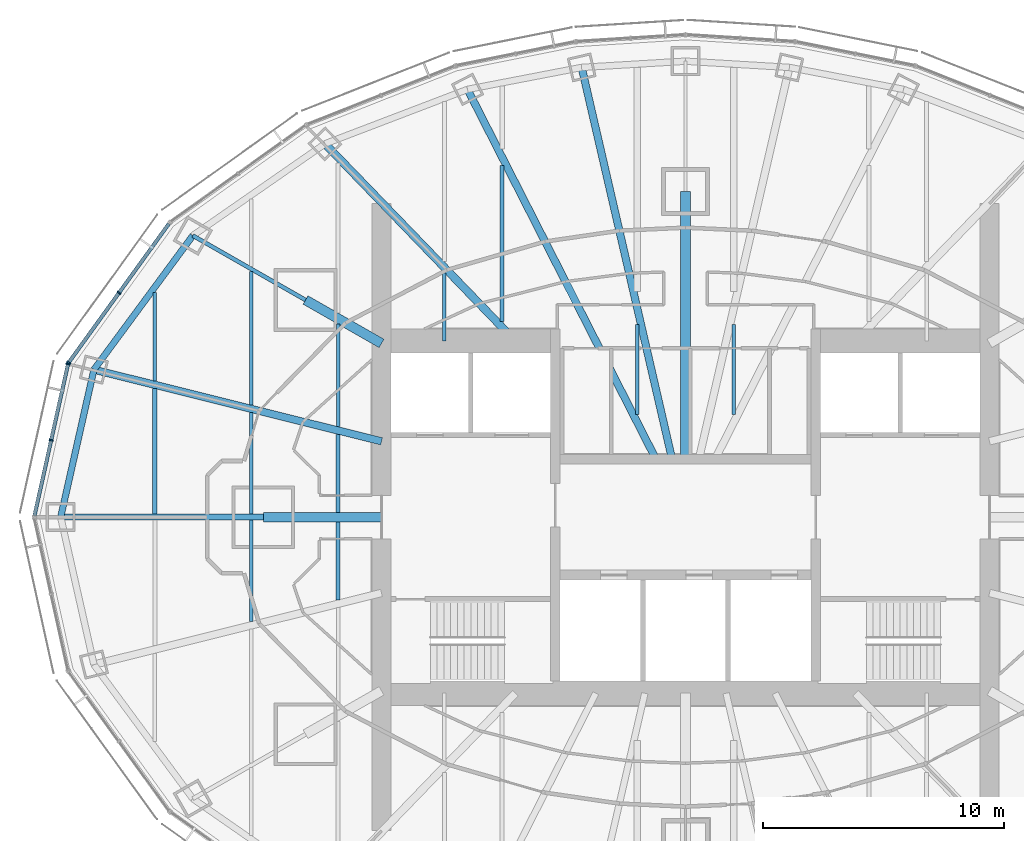
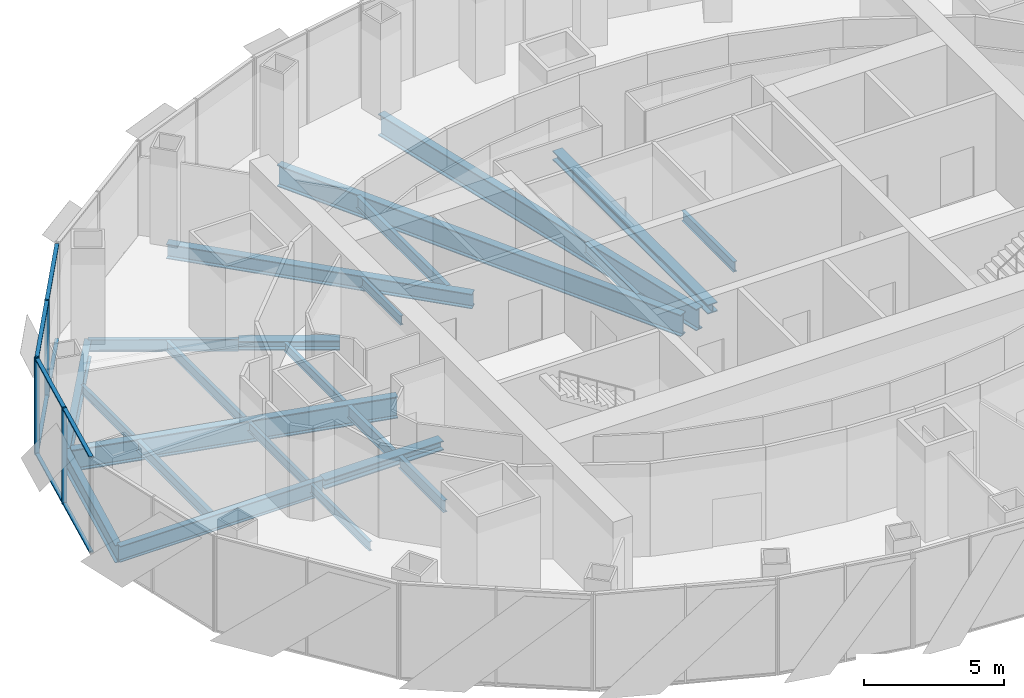
# One storey, part 4 of 17: 23 beams, 12 members, 2 elements without a shape of their own.
"""IFC4 building model written with IfcOpenShell, lengths in metres."""

import ifcopenshell
import ifcopenshell.guid

model = None  # the IFC model being written
_history = None  # IfcOwnerHistory: only IFC2X3 demands one
_inside = {}  # id of a spatial element -> (the spatial element, [elements in it])
_under = {}  # id of a project, library or spatial element -> (it, [spatial elements below it])
_declared = {}  # id of a project -> (the project, [libraries it declares])
_typed = {}  # id of a type object -> (the type object, [elements of that type])
_made_of = {}  # id of a material, layer set ... -> (it, [elements and type objects made of it])


def new_model(schema):
    """Start an empty IFC model of exactly this schema.

    Asked for "IFC4X3", IfcOpenShell would pick the latest addendum, in which some entities
    have other attributes; the version numbers below select the first issue.
    IFC2X3 requires an IfcOwnerHistory on every rooted entity: one is made here for all.
    """
    global model, _history
    if schema == "IFC4X3":
        model = ifcopenshell.file(schema_version=(4, 3, 0, 0))
    else:
        model = ifcopenshell.file(schema=schema)
    _inside.clear()
    _under.clear()
    _declared.clear()
    _typed.clear()
    _made_of.clear()
    _history = None
    if model.schema == "IFC2X3":
        org = make("IfcOrganization", Name="unknown")
        user = make(
            "IfcPersonAndOrganization",
            ThePerson=make("IfcPerson", FamilyName="unknown"),
            TheOrganization=org,
        )
        app = make(
            "IfcApplication",
            ApplicationDeveloper=org,
            Version="unknown",
            ApplicationFullName="unknown",
            ApplicationIdentifier="unknown",
        )
        _history = make(
            "IfcOwnerHistory",
            OwningUser=user,
            OwningApplication=app,
            ChangeAction="ADDED",
            CreationDate=0,
        )
    return model


def make(cls, **values):
    """One entity of the class cls with the attributes given. An attribute that is None is left unset."""
    return model.create_entity(
        cls, **{name: value for name, value in values.items() if value is not None}
    )


def rooted(cls, **values):
    """An entity with a GlobalId (a new one), such as an element, a storey or a relation."""
    return make(cls, GlobalId=ifcopenshell.guid.new(), OwnerHistory=_history, **values)


def si_unit(unit_type, name, prefix=None):
    """IfcSIUnit, for example si_unit("LENGTHUNIT", "METRE", prefix="MILLI")."""
    return make("IfcSIUnit", UnitType=unit_type, Prefix=prefix, Name=name)


def assignment(units):
    """IfcUnitAssignment: the units of a project."""
    return None if units is None else make("IfcUnitAssignment", Units=units)


def point(xyz):
    """IfcCartesianPoint."""
    return None if xyz is None else make("IfcCartesianPoint", Coordinates=xyz)


def direction(xyz):
    """IfcDirection."""
    return None if xyz is None else make("IfcDirection", DirectionRatios=xyz)


def frame(location, z_axis=None, x_axis=None):
    """IfcAxis2Placement3D, a coordinate frame: its origin and axes. An axis left out is left unset."""
    return make(
        "IfcAxis2Placement3D",
        Location=point(location),
        Axis=direction(z_axis),
        RefDirection=direction(x_axis),
    )


def frame_2d(location, x_axis=None):
    """IfcAxis2Placement2D, a coordinate frame in the plane: its origin and x axis."""
    return make(
        "IfcAxis2Placement2D", Location=point(location), RefDirection=direction(x_axis)
    )


def origin():
    """The frame at (0, 0, 0) with its axes left unset."""
    return frame((0.0, 0.0, 0.0))


def origin_2d():
    """The frame at (0, 0) in the plane with its x axis left unset."""
    return frame_2d((0.0, 0.0))


def place(relative_to, where):
    """IfcLocalPlacement: puts the frame where relative to a parent placement (None: the world)."""
    return make(
        "IfcLocalPlacement", PlacementRelTo=relative_to, RelativePlacement=where
    )


def context(
    kind, dimensions, precision=None, world=None, true_north=None, identifier=None
):
    """IfcGeometricRepresentationContext, for example the 3D "Model" context."""
    return make(
        "IfcGeometricRepresentationContext",
        ContextIdentifier=identifier,
        ContextType=kind,
        CoordinateSpaceDimension=dimensions,
        Precision=precision,
        WorldCoordinateSystem=world,
        TrueNorth=true_north,
    )


def subcontext(parent, identifier, kind, view, scale=None):
    """IfcGeometricRepresentationSubContext, for example "Body" below "Model"."""
    return make(
        "IfcGeometricRepresentationSubContext",
        ContextIdentifier=identifier,
        ContextType=kind,
        ParentContext=parent,
        TargetScale=scale,
        TargetView=view,
    )


def project(units=None, contexts=None):
    """IfcProject with its units and contexts."""
    return rooted(
        "IfcProject",
        Name="project",
        RepresentationContexts=contexts,
        UnitsInContext=assignment(units),
    )


def spatial(cls, under=None, at=None, **own):
    """A site, building, storey or space (cls), placed at a placement, below another one or the project."""
    s = rooted(cls, ObjectPlacement=at, **own)
    if under is not None:
        _under.setdefault(under.id(), (under, []))[1].append(s)
    return s


def profile(cls, at=None, kind="AREA", **sizes):
    """A parametric profile (cls). Its sizes go by their IFC names, for example OverallWidth=200.0."""
    return make(cls, ProfileType=kind, Position=at, **sizes)


def rectangle(**sizes):
    """IfcRectangleProfileDef."""
    return profile("IfcRectangleProfileDef", **sizes)


def i_section(**sizes):
    """IfcIShapeProfileDef."""
    return profile("IfcIShapeProfileDef", **sizes)


def extrude(swept, where, along, depth):
    """IfcExtrudedAreaSolid: the profile swept, set in the frame where, extruded along a direction by depth."""
    return make(
        "IfcExtrudedAreaSolid",
        SweptArea=swept,
        Position=where,
        ExtrudedDirection=direction(along),
        Depth=depth,
    )


def shape(context_of_items, identifier, shape_type, items):
    """IfcShapeRepresentation: the items that make up one representation, for example the "Body"."""
    return make(
        "IfcShapeRepresentation",
        ContextOfItems=context_of_items,
        RepresentationIdentifier=identifier,
        RepresentationType=shape_type,
        Items=items,
    )


def material(Name=None, Category=None):
    """IfcMaterial."""
    return make("IfcMaterial", Name=Name, Category=Category)


def material_profile(
    of_material, cross_section, Name=None, Category=None, Priority=None
):
    """IfcMaterialProfile: a cross section and its material."""
    return make(
        "IfcMaterialProfile",
        Name=Name,
        Material=of_material,
        Profile=cross_section,
        Priority=Priority,
        Category=Category,
    )


def profile_set(profiles, Name=None, composite=None):
    """IfcMaterialProfileSet."""
    return make(
        "IfcMaterialProfileSet",
        Name=Name,
        MaterialProfiles=profiles,
        CompositeProfile=composite,
    )


def made_of(thing, what):
    """Note that an element or type object is made of a material, layer set ...; save() writes the relation."""
    if what is not None:
        _made_of.setdefault(what.id(), (what, []))[1].append(thing)
    return thing


def type_object(cls, material=None, **own):
    """A type object (cls), such as IfcWallType, which elements share."""
    return made_of(rooted(cls, **own), material)


def element(
    cls,
    number,
    at=None,
    inside=None,
    cuts=None,
    type_object=None,
    material=None,
    context=None,
    identifier="Body",
    shape_type=None,
    held_by="IfcProductDefinitionShape",
    body=None,
    shapes=None,
    **own,
):
    """One element of the class cls, such as IfcWall. Its Tag is "e" and its number.

    at: its placement. inside: the storey or other place that contains it. cuts: it is an
    opening in that element (IfcRelVoidsElement). A single representation is given by context,
    identifier, shape_type and body (its items); several are given by shapes. held_by: the class
    of the entity that holds the representations. save() writes the other relations.
    """
    e = rooted(cls, Tag="e%d" % number, ObjectPlacement=at, **own)
    if body is not None:
        shapes = [shape(context, identifier, shape_type, body)]
    if shapes is not None:
        e.Representation = make(held_by, Representations=shapes)
    if inside is not None:
        _inside.setdefault(inside.id(), (inside, []))[1].append(e)
    if cuts is not None:
        rooted(
            "IfcRelVoidsElement", RelatingBuildingElement=cuts, RelatedOpeningElement=e
        )
    if type_object is not None:
        _typed.setdefault(type_object.id(), (type_object, []))[1].append(e)
    return made_of(e, material)


def aggregate(whole, parts):
    """IfcRelAggregates: a whole, such as a stair, and the parts it consists of."""
    return rooted("IfcRelAggregates", RelatingObject=whole, RelatedObjects=parts)


def save(model, path):
    """Write the relations noted so far, then the file.

    IfcRelAggregates (storeys below a building ...), IfcRelContainedInSpatialStructure (elements
    in a storey), IfcRelDefinesByType, IfcRelAssociatesMaterial and IfcRelDeclares: one each for
    every whole, place, type object, material and project.
    """
    for whole, parts in _under.values():
        aggregate(whole, parts)
    for where, things in _inside.values():
        rooted(
            "IfcRelContainedInSpatialStructure",
            RelatedElements=things,
            RelatingStructure=where,
        )
    for kind, things in _typed.values():
        rooted("IfcRelDefinesByType", RelatedObjects=things, RelatingType=kind)
    for what, things in _made_of.values():
        rooted("IfcRelAssociatesMaterial", RelatedObjects=things, RelatingMaterial=what)
    for by, libraries in _declared.values():
        rooted("IfcRelDeclares", RelatingContext=by, RelatedDefinitions=libraries)
    model.write(path)


model = new_model("IFC4")

# Units and contexts
model_context = context("Model", 3, precision=1e-05, world=origin(), true_north=direction((0.0, 1.0)))
body_context = subcontext(model_context, "Body", "Model", "MODEL_VIEW")
ifc_project = project(units=[si_unit("LENGTHUNIT", "METRE"), si_unit("AREAUNIT", "SQUARE_METRE"), si_unit("VOLUMEUNIT", "CUBIC_METRE"), si_unit("PLANEANGLEUNIT", "RADIAN"), si_unit("MASSUNIT", "GRAM", prefix="KILO")], contexts=[model_context])

# Site, building, storey
site_placement = place(None, origin())
site = spatial("IfcSite", under=ifc_project, at=site_placement, CompositionType="ELEMENT")
building_placement = place(site_placement, origin())
building = spatial("IfcBuilding", under=site, at=building_placement, Name="Lantaw Convention Tower", CompositionType="ELEMENT")
storey_placement = place(building_placement, frame((0.0, 0.0, 215.800048828125)))
storey = spatial("IfcBuildingStorey", under=building, at=storey_placement, Name="L50", CompositionType="ELEMENT", Elevation=215.800048828125)

# Beams
ifc_material_1 = material(Name="Steel ASTM A992", Category="steel")
ifc_material_profile_1 = material_profile(ifc_material_1, i_section(OverallWidth=0.2666015625, OverallDepth=0.76953125, WebThickness=0.015625, FlangeThickness=0.025390625, FilletRadius=0.0126953125, at=origin_2d()), Name="W30X132")
ifc_profile_set_1 = profile_set([ifc_material_profile_1], Name="Steel ASTM A992")
beam_type_1 = type_object("IfcBeamType", Name="Beam E W30X132", PredefinedType="SPANDREL", material=ifc_profile_set_1)
beam_1_placement = place(storey_placement, frame((-20.423095703125, 11.67041015625, -0.534912109375), z_axis=(-0.593639188853, -0.804731329984, 0.0), x_axis=(0.804731329984, -0.593639188853, 0.0)))
element("IfcBeam", 1, at=beam_1_placement, inside=storey, type_object=beam_type_1, Name="Edge beam 11", PredefinedType="SPANDREL", context=body_context, shape_type="SweptSolid", body=[
    extrude(i_section(OverallWidth=0.2666015625, OverallDepth=0.76953125, WebThickness=0.015625, FlangeThickness=0.025390625, FilletRadius=0.0126953125, at=origin_2d()), origin(), (0.0, 0.0, 1.0), 6.904541015625),
])
beam_2_placement = place(storey_placement, frame((-24.52197265625, 6.114013671875, -0.534912109375), z_axis=(-0.219857926596, -0.97553190215, 0.0), x_axis=(0.97553190215, -0.219857926596, 0.0)))
element("IfcBeam", 2, at=beam_2_placement, inside=storey, type_object=beam_type_1, Name="Edge beam 12", PredefinedType="SPANDREL", context=body_context, shape_type="SweptSolid", body=[
    extrude(i_section(OverallWidth=0.2666015625, OverallDepth=0.76953125, WebThickness=0.015625, FlangeThickness=0.025390625, FilletRadius=0.0126953125, at=origin_2d()), origin(), (0.0, 0.0, 1.0), 6.267333984375),
])
ifc_material_profile_2 = material_profile(ifc_material_1, i_section(OverallWidth=0.1650390625, OverallDepth=0.52587890625, WebThickness=0.0087890625, FlangeThickness=0.011474609375, FilletRadius=0.0126953125, at=origin_2d()), Name="W21X44")
ifc_profile_set_2 = profile_set([ifc_material_profile_2], Name="Steel ASTM A992")
beam_type_2 = type_object("IfcBeamType", Name="Beam G W21X44", PredefinedType="BEAM", material=ifc_profile_set_2)
beam_3_placement = place(storey_placement, frame((-15.75, 9.0, -0.412841796875), z_axis=(-0.868237559289, 0.496148708192, 0.0), x_axis=(-0.496148708192, -0.868237559289, 0.0)))
element("IfcBeam", 3, at=beam_3_placement, inside=storey, type_object=beam_type_2, Name="Floor girder on ray 11", PredefinedType="BEAM", context=body_context, shape_type="SweptSolid", body=[
    extrude(i_section(OverallWidth=0.1650390625, OverallDepth=0.52587890625, WebThickness=0.0087890625, FlangeThickness=0.011474609375, FilletRadius=0.0126953125, at=origin_2d()), origin(), (0.0, 0.0, 1.0), 5.38232421875),
])
ifc_material_profile_3 = material_profile(ifc_material_1, i_section(OverallWidth=0.32763671875, OverallDepth=0.64013671875, WebThickness=0.01904296875, FlangeThickness=0.033935546875, FilletRadius=0.0126953125, at=origin_2d()), Name="W24X176")
ifc_profile_set_3 = profile_set([ifc_material_profile_3], Name="Steel ASTM A992")
beam_type_3 = type_object("IfcBeamType", Name="Beam G W24X176", PredefinedType="BEAM", material=ifc_profile_set_3)
beam_4_placement = place(storey_placement, frame((-7.049560546875, 7.300048828125, -0.469970703125), z_axis=(-0.694657766726, 0.719340383356, 0.0), x_axis=(-0.719340383356, -0.694657766726, 0.0)))
element("IfcBeam", 4, at=beam_4_placement, inside=storey, type_object=beam_type_3, Name="Floor girder on ray 10", PredefinedType="BEAM", context=body_context, shape_type="SweptSolid", body=[
    extrude(i_section(OverallWidth=0.32763671875, OverallDepth=0.64013671875, WebThickness=0.01904296875, FlangeThickness=0.033935546875, FilletRadius=0.0126953125, at=origin_2d()), origin(), (0.0, 0.0, 1.0), 11.364990234375),
])
ifc_material_profile_4 = material_profile(ifc_material_1, i_section(OverallWidth=0.25390625, OverallDepth=0.700927734375, WebThickness=0.015380859375, FlangeThickness=0.02783203125, FilletRadius=0.01513671875, at=origin_2d()), Name="W27X129")
ifc_profile_set_4 = profile_set([ifc_material_profile_4], Name="Steel ASTM A992")
beam_type_4 = type_object("IfcBeamType", Name="Beam G W27X129", PredefinedType="BEAM", material=ifc_profile_set_4)
beam_5_placement = place(storey_placement, frame((-17.5, 0.0, -0.50048828125), z_axis=(-1.0, 0.0, 0.0), x_axis=(0.0, -1.0, 0.0)))
element("IfcBeam", 5, at=beam_5_placement, inside=storey, type_object=beam_type_4, Name="Floor girder on ray 13", PredefinedType="BEAM", context=body_context, shape_type="SweptSolid", body=[
    extrude(i_section(OverallWidth=0.25390625, OverallDepth=0.700927734375, WebThickness=0.015380859375, FlangeThickness=0.02783203125, FilletRadius=0.01513671875, at=origin_2d()), origin(), (0.0, 0.0, 1.0), 8.39990234375),
])
ifc_material_profile_5 = material_profile(ifc_material_1, i_section(OverallWidth=0.307373046875, OverallDepth=0.9423828125, WebThickness=0.022216796875, FlangeThickness=0.039794921875, FilletRadius=0.0126953125, at=origin_2d()), Name="W36X232")
ifc_profile_set_5 = profile_set([ifc_material_profile_5], Name="Steel ASTM A992")
beam_type_5 = type_object("IfcBeamType", Name="Beam G W36X232", PredefinedType="BEAM", material=ifc_profile_set_5)
beam_6_placement = place(storey_placement, frame((-0.55419921875, 2.39990234375, -0.621337890625), z_axis=(-0.224948287002, 0.974370703672, 0.0), x_axis=(-0.974370703672, -0.224948287002, 0.0)))
element("IfcBeam", 6, at=beam_6_placement, inside=storey, type_object=beam_type_5, Name="Floor girder on ray 8", PredefinedType="BEAM", context=body_context, shape_type="SweptSolid", body=[
    extrude(i_section(OverallWidth=0.307373046875, OverallDepth=0.9423828125, WebThickness=0.022216796875, FlangeThickness=0.039794921875, FilletRadius=0.0126953125, at=origin_2d()), origin(), (0.0, 0.0, 1.0), 16.66943359375),
])
beam_7_placement = place(storey_placement, frame((-1.222900390625, 2.39990234375, -0.621337890625), z_axis=(-0.453988481463, 0.891007552549, 0.0), x_axis=(-0.891007552549, -0.453988481463, 0.0)))
element("IfcBeam", 7, at=beam_7_placement, inside=storey, type_object=beam_type_5, Name="Floor girder on ray 9", PredefinedType="BEAM", context=body_context, shape_type="SweptSolid", body=[
    extrude(i_section(OverallWidth=0.307373046875, OverallDepth=0.9423828125, WebThickness=0.022216796875, FlangeThickness=0.039794921875, FilletRadius=0.0126953125, at=origin_2d()), origin(), (0.0, 0.0, 1.0), 17.20703125),
])
beam_8_placement = place(storey_placement, frame((-12.60009765625, 3.1416015625, -0.621337890625), z_axis=(-0.970296589314, 0.241918434119, 0.0), x_axis=(-0.241918434119, -0.970296589314, 0.0)))
element("IfcBeam", 8, at=beam_8_placement, inside=storey, type_object=beam_type_5, Name="Floor girder on ray 12", PredefinedType="BEAM", context=body_context, shape_type="SweptSolid", body=[
    extrude(i_section(OverallWidth=0.307373046875, OverallDepth=0.9423828125, WebThickness=0.022216796875, FlangeThickness=0.039794921875, FilletRadius=0.0126953125, at=origin_2d()), origin(), (0.0, 0.0, 1.0), 12.286865234375),
])
ifc_material_profile_6 = material_profile(ifc_material_1, i_section(OverallWidth=0.40380859375, OverallDepth=0.406494140625, WebThickness=0.027099609375, FlangeThickness=0.043701171875, FilletRadius=0.01513671875, at=origin_2d()), Name="W14X233")
ifc_profile_set_6 = profile_set([ifc_material_profile_6], Name="Steel ASTM A992")
beam_type_6 = type_object("IfcBeamType", Name="Beam GM W14X233", PredefinedType="BEAM", material=ifc_profile_set_6)
beam_9_placement = place(storey_placement, frame((0.0, 2.39990234375, -0.353271484375), z_axis=(0.0, 1.0, 0.0), x_axis=(-1.0, 0.0, 0.0)))
element("IfcBeam", 9, at=beam_9_placement, inside=storey, type_object=beam_type_6, Name="Core link beam on ray 7", PredefinedType="BEAM", context=body_context, shape_type="SweptSolid", body=[
    extrude(i_section(OverallWidth=0.40380859375, OverallDepth=0.406494140625, WebThickness=0.027099609375, FlangeThickness=0.043701171875, FilletRadius=0.01513671875, at=origin_2d()), origin(), (0.0, 0.0, 1.0), 11.10009765625),
])
beam_10_placement = place(storey_placement, frame((-12.60009765625, 7.199951171875, -0.353271484375), z_axis=(-0.868230718294, 0.496160679428, 0.0), x_axis=(-0.496160679428, -0.868230718294, 0.0)))
element("IfcBeam", 10, at=beam_10_placement, inside=storey, type_object=beam_type_6, Name="Core link beam on ray 11", PredefinedType="BEAM", context=body_context, shape_type="SweptSolid", body=[
    extrude(i_section(OverallWidth=0.40380859375, OverallDepth=0.406494140625, WebThickness=0.027099609375, FlangeThickness=0.043701171875, FilletRadius=0.01513671875, at=origin_2d()), origin(), (0.0, 0.0, 1.0), 3.6279296875),
])
beam_11_placement = place(storey_placement, frame((-12.60009765625, 0.0, -0.353271484375), z_axis=(-1.0, 0.0, 0.0), x_axis=(0.0, -1.0, 0.0)))
element("IfcBeam", 11, at=beam_11_placement, inside=storey, type_object=beam_type_6, Name="Core link beam on ray 13", PredefinedType="BEAM", context=body_context, shape_type="SweptSolid", body=[
    extrude(i_section(OverallWidth=0.40380859375, OverallDepth=0.406494140625, WebThickness=0.027099609375, FlangeThickness=0.043701171875, FilletRadius=0.01513671875, at=origin_2d()), origin(), (0.0, 0.0, 1.0), 4.89990234375),
])
ifc_material_profile_7 = material_profile(ifc_material_1, i_section(OverallWidth=0.140380859375, OverallDepth=0.40380859375, WebThickness=0.007080078125, FlangeThickness=0.01123046875, FilletRadius=0.01025390625, at=origin_2d()), Name="W16X31")
ifc_profile_set_7 = profile_set([ifc_material_profile_7], Name="Steel ASTM A992")
beam_type_7 = type_object("IfcBeamType", Name="Beam J W16X31", PredefinedType="JOIST", material=ifc_profile_set_7)
beam_12_placement = place(storey_placement, frame((-22.0, 5.6435546875, -0.35205078125), z_axis=(0.0, 1.0, 0.0), x_axis=(-1.0, 0.0, 0.0)))
element("IfcBeam", 12, at=beam_12_placement, inside=storey, type_object=beam_type_7, Name="Floor joist", PredefinedType="JOIST", context=body_context, shape_type="SweptSolid", body=[
    extrude(i_section(OverallWidth=0.140380859375, OverallDepth=0.40380859375, WebThickness=0.007080078125, FlangeThickness=0.01123046875, FilletRadius=0.01025390625, at=origin_2d()), origin(), (0.0, 0.0, 1.0), 3.66455078125),
])
for number, where, z_axis, x_axis, name in (
    (13, (-18.0, -4.32958984375, -0.35205078125), (0.0, 1.0, 0.0), (-1.0, 0.0, 0.0), "Floor joist"),
    (14, (-18.0, 0.126953125, -0.35205078125), (0.0, 1.0, 0.0), (-1.0, 0.0, 0.0), "Floor joist"),
):
    element("IfcBeam", number, at=place(storey_placement, frame(where, z_axis=z_axis, x_axis=x_axis)), inside=storey, type_object=beam_type_7, Name=name, PredefinedType="JOIST", context=body_context, shape_type="SweptSolid", body=[
        extrude(i_section(OverallWidth=0.140380859375, OverallDepth=0.40380859375, WebThickness=0.007080078125, FlangeThickness=0.01123046875, FilletRadius=0.01025390625, at=origin_2d()), origin(), (0.0, 0.0, 1.0), 4.20263671875),
    ])
beam_13_placement = place(storey_placement, frame((-14.39990234375, 3.748779296875, -0.35205078125), z_axis=(0.0, 1.0, 0.0), x_axis=(-1.0, 0.0, 0.0)))
element("IfcBeam", 15, at=beam_13_placement, inside=storey, type_object=beam_type_7, Name="Floor joist", PredefinedType="JOIST", context=body_context, shape_type="SweptSolid", body=[
    extrude(i_section(OverallWidth=0.140380859375, OverallDepth=0.40380859375, WebThickness=0.007080078125, FlangeThickness=0.01123046875, FilletRadius=0.01025390625, at=origin_2d()), origin(), (0.0, 0.0, 1.0), 4.247314453125),
])
beam_14_placement = place(storey_placement, frame((-10.0, 7.300048828125, -0.35205078125), z_axis=(0.0, 1.0, 0.0), x_axis=(-1.0, 0.0, 0.0)))
element("IfcBeam", 16, at=beam_14_placement, inside=storey, type_object=beam_type_7, Name="Floor joist", PredefinedType="JOIST", context=body_context, shape_type="SweptSolid", body=[
    extrude(i_section(OverallWidth=0.140380859375, OverallDepth=0.40380859375, WebThickness=0.007080078125, FlangeThickness=0.01123046875, FilletRadius=0.01025390625, at=origin_2d()), origin(), (0.0, 0.0, 1.0), 2.8193359375),
])
ifc_material_profile_8 = material_profile(ifc_material_1, i_section(OverallWidth=0.15234375, OverallDepth=0.449462890625, WebThickness=0.007568359375, FlangeThickness=0.0107421875, FilletRadius=0.01025390625, at=origin_2d()), Name="W18X35")
ifc_profile_set_8 = profile_set([ifc_material_profile_8], Name="Steel ASTM A992")
beam_type_8 = type_object("IfcBeamType", Name="Beam J W18X35", PredefinedType="JOIST", material=ifc_profile_set_8)
beam_15_placement = place(storey_placement, frame((-18.0, 4.646240234375, -0.374755859375), z_axis=(0.0, 1.0, 0.0), x_axis=(-1.0, 0.0, 0.0)))
element("IfcBeam", 17, at=beam_15_placement, inside=storey, type_object=beam_type_8, Name="Floor joist", PredefinedType="JOIST", context=body_context, shape_type="SweptSolid", body=[
    extrude(i_section(OverallWidth=0.15234375, OverallDepth=0.449462890625, WebThickness=0.007568359375, FlangeThickness=0.0107421875, FilletRadius=0.01025390625, at=origin_2d()), origin(), (0.0, 0.0, 1.0), 5.54443359375),
])
for number, where, z_axis, x_axis, name in (
    (18, (-2.0, 4.263671875, -0.374755859375), (0.0, 1.0, 0.0), (-1.0, 0.0, 0.0), "Floor joist"),
    (19, (2.0, 4.263671875, -0.374755859375), (0.0, 1.0, 0.0), (-1.0, 0.0, 0.0), "Floor joist"),
):
    element("IfcBeam", number, at=place(storey_placement, frame(where, z_axis=z_axis, x_axis=x_axis)), inside=storey, type_object=beam_type_8, Name=name, PredefinedType="JOIST", context=body_context, shape_type="SweptSolid", body=[
        extrude(i_section(OverallWidth=0.15234375, OverallDepth=0.449462890625, WebThickness=0.007568359375, FlangeThickness=0.0107421875, FilletRadius=0.01025390625, at=origin_2d()), origin(), (0.0, 0.0, 1.0), 3.716064453125),
    ])
ifc_material_profile_9 = material_profile(ifc_material_1, i_section(OverallWidth=0.1904296875, OverallDepth=0.457275390625, WebThickness=0.009033203125, FlangeThickness=0.014404296875, FilletRadius=0.01025390625, at=origin_2d()), Name="W18X50")
ifc_profile_set_9 = profile_set([ifc_material_profile_9], Name="Steel ASTM A992")
beam_type_9 = type_object("IfcBeamType", Name="Beam J W18X50", PredefinedType="JOIST", material=ifc_profile_set_9)
beam_16_placement = place(storey_placement, frame((-22.0, 0.126953125, -0.378662109375), z_axis=(0.0, 1.0, 0.0), x_axis=(-1.0, 0.0, 0.0)))
element("IfcBeam", 20, at=beam_16_placement, inside=storey, type_object=beam_type_9, Name="Floor joist", PredefinedType="JOIST", context=body_context, shape_type="SweptSolid", body=[
    extrude(i_section(OverallWidth=0.1904296875, OverallDepth=0.457275390625, WebThickness=0.009033203125, FlangeThickness=0.014404296875, FilletRadius=0.01025390625, at=origin_2d()), origin(), (0.0, 0.0, 1.0), 5.199951171875),
])
ifc_material_profile_10 = material_profile(ifc_material_1, i_section(OverallWidth=0.1650390625, OverallDepth=0.52587890625, WebThickness=0.0087890625, FlangeThickness=0.011474609375, FilletRadius=0.0126953125, at=origin_2d()), Name="W21X44")
ifc_profile_set_10 = profile_set([ifc_material_profile_10], Name="Steel ASTM A992")
beam_type_10 = type_object("IfcBeamType", Name="Beam J W21X44", PredefinedType="JOIST", material=ifc_profile_set_10)
for number, where, z_axis, x_axis, name in (
    (21, (-14.39990234375, -3.431884765625, -0.412841796875), (0.0, 1.0, 0.0), (-1.0, 0.0, 0.0), "Floor joist"),
    (22, (-14.39990234375, 0.201904296875, -0.412841796875), (0.0, 1.0, 0.0), (-1.0, 0.0, 0.0), "Floor joist"),
):
    element("IfcBeam", number, at=place(storey_placement, frame(where, z_axis=z_axis, x_axis=x_axis)), inside=storey, type_object=beam_type_10, Name=name, PredefinedType="JOIST", context=body_context, shape_type="SweptSolid", body=[
        extrude(i_section(OverallWidth=0.1650390625, OverallDepth=0.52587890625, WebThickness=0.0087890625, FlangeThickness=0.011474609375, FilletRadius=0.0126953125, at=origin_2d()), origin(), (0.0, 0.0, 1.0), 3.22998046875),
    ])
beam_17_placement = place(storey_placement, frame((-7.60009765625, 8.10595703125, -0.412841796875), z_axis=(0.0, 1.0, 0.0), x_axis=(-1.0, 0.0, 0.0)))
element("IfcBeam", 23, at=beam_17_placement, inside=storey, type_object=beam_type_10, Name="Floor joist", PredefinedType="JOIST", context=body_context, shape_type="SweptSolid", body=[
    extrude(i_section(OverallWidth=0.1650390625, OverallDepth=0.52587890625, WebThickness=0.0087890625, FlangeThickness=0.011474609375, FilletRadius=0.0126953125, at=origin_2d()), origin(), (0.0, 0.0, 1.0), 6.471435546875),
])

# Curtain wall, members
ifc_material_2 = material(Name="Aluminium framed curtain wall", Category="aluminium")
curtain_wall_type = type_object("IfcCurtainWallType", Name="Office curtain wall high rise, pale aluminium", PredefinedType="USERDEFINED", material=ifc_material_2)
curtain_wall_1_placement = place(storey_placement, origin())
curtain_wall_1 = element("IfcCurtainWall", 24, at=curtain_wall_1_placement, inside=storey, type_object=curtain_wall_type, Name="Office curtain wall high rise, pale aluminium L50", ObjectType="UNITISED CURTAIN WALL", PredefinedType="USERDEFINED")
ifc_material_3 = material(Name="Aluminium 6063-T6", Category="aluminium")
ifc_material_profile_11 = material_profile(ifc_material_3, rectangle(XDim=0.179931640625, YDim=0.06494140625, at=origin_2d()), Name="CW-O2 mullion 65x180")
ifc_profile_set_11 = profile_set([ifc_material_profile_11], Name="Aluminium 6063-T6")
member_type_1 = type_object("IfcMemberType", Name="CW-O2 mullion 65x180", PredefinedType="MULLION", material=ifc_profile_set_11)
member_1_placement = place(storey_placement, frame((-23.483642578125, 9.298095703125, -0.150146484375), z_axis=(0.0, 0.0, 1.0), x_axis=(0.810919559405, -0.585157643865, 0.0)))
member_1 = element("IfcMember", 25, at=member_1_placement, type_object=member_type_1, Name="CW-O2 mullion 2", PredefinedType="MULLION", context=body_context, shape_type="SweptSolid", body=[
    extrude(rectangle(XDim=0.179931640625, YDim=0.06494140625, at=origin_2d()), origin(), (0.0, 0.0, 1.0), 4.2001953125),
])
member_2_placement = place(storey_placement, frame((-25.5703125, 6.406494140625, -0.150146484375), z_axis=(0.0, 0.0, 1.0), x_axis=(0.810919559405, -0.585157643865, 0.0)))
member_2 = element("IfcMember", 26, at=member_2_placement, type_object=member_type_1, Name="CW-O2 mullion 3", PredefinedType="MULLION", context=body_context, shape_type="SweptSolid", body=[
    extrude(rectangle(XDim=0.179931640625, YDim=0.06494140625, at=origin_2d()), origin(), (0.0, 0.0, 1.0), 4.2001953125),
])

curtain_wall_2_placement = place(storey_placement, origin())
curtain_wall_2 = element("IfcCurtainWall", 27, at=curtain_wall_2_placement, inside=storey, type_object=curtain_wall_type, Name="Office curtain wall high rise, pale aluminium L50", ObjectType="UNITISED CURTAIN WALL", PredefinedType="USERDEFINED")
member_3_placement = place(storey_placement, frame((-25.596435546875, 6.348388671875, -0.150146484375), z_axis=(0.0, 0.0, 1.0), x_axis=(0.976417396437, -0.215891333626, 0.0)))
member_3 = element("IfcMember", 28, at=member_3_placement, type_object=member_type_1, Name="CW-O2 mullion 1", PredefinedType="MULLION", context=body_context, shape_type="SweptSolid", body=[
    extrude(rectangle(XDim=0.179931640625, YDim=0.06494140625, at=origin_2d()), origin(), (0.0, 0.0, 1.0), 4.2001953125),
])
member_4_placement = place(storey_placement, frame((-26.294677734375, 3.190185546875, -0.150146484375), z_axis=(0.0, 0.0, 1.0), x_axis=(0.976417396437, -0.215891333626, 0.0)))
member_4 = element("IfcMember", 29, at=member_4_placement, type_object=member_type_1, Name="CW-O2 mullion 2", PredefinedType="MULLION", context=body_context, shape_type="SweptSolid", body=[
    extrude(rectangle(XDim=0.179931640625, YDim=0.06494140625, at=origin_2d()), origin(), (0.0, 0.0, 1.0), 4.2001953125),
])

# Member
ifc_material_profile_12 = material_profile(ifc_material_3, rectangle(XDim=0.14990234375, YDim=0.06494140625, at=origin_2d()), Name="CW-O2 transom 65x150")
ifc_profile_set_12 = profile_set([ifc_material_profile_12], Name="Aluminium 6063-T6")
member_type_2 = type_object("IfcMemberType", Name="CW-O2 transom 65x150", PredefinedType="USERDEFINED", material=ifc_profile_set_12)
member_5_placement = place(storey_placement, frame((-21.416259765625, 12.163330078125, -0.117431640625), z_axis=(-0.585123825205, -0.810943961798, 0.0), x_axis=(0.810943961798, -0.585123825205, 0.0)))
member_5 = element("IfcMember", 30, at=member_5_placement, type_object=member_type_2, Name="CW-O2 transom 1.1", ObjectType="TRANSOM", PredefinedType="USERDEFINED", context=body_context, shape_type="SweptSolid", body=[
    extrude(rectangle(XDim=0.14990234375, YDim=0.06494140625, at=origin_2d()), origin(), (0.0, 0.0, 1.0), 3.500732421875),
])

member_6_placement = place(storey_placement, frame((-21.416259765625, 12.163330078125, 4.017333984375), z_axis=(-0.585123825205, -0.810943961798, 0.0), x_axis=(0.810943961798, -0.585123825205, 0.0)))
member_6 = element("IfcMember", 31, at=member_6_placement, type_object=member_type_2, Name="CW-O2 transom 1.2", ObjectType="TRANSOM", PredefinedType="USERDEFINED", context=body_context, shape_type="SweptSolid", body=[
    extrude(rectangle(XDim=0.14990234375, YDim=0.06494140625, at=origin_2d()), origin(), (0.0, 0.0, 1.0), 3.500732421875),
])

member_7_placement = place(storey_placement, frame((-23.502685546875, 9.271728515625, -0.117431640625), z_axis=(-0.585169685931, -0.810910869743, 0.0), x_axis=(0.810910869743, -0.585169685931, 0.0)))
member_7 = element("IfcMember", 32, at=member_7_placement, type_object=member_type_2, Name="CW-O2 transom 2.1", ObjectType="TRANSOM", PredefinedType="USERDEFINED", context=body_context, shape_type="SweptSolid", body=[
    extrude(rectangle(XDim=0.14990234375, YDim=0.06494140625, at=origin_2d()), origin(), (0.0, 0.0, 1.0), 3.500732421875),
])

member_8_placement = place(storey_placement, frame((-23.502685546875, 9.271728515625, 4.017333984375), z_axis=(-0.585169685931, -0.810910869743, 0.0), x_axis=(0.810910869743, -0.585169685931, 0.0)))
member_8 = element("IfcMember", 33, at=member_8_placement, type_object=member_type_2, Name="CW-O2 transom 2.2", ObjectType="TRANSOM", PredefinedType="USERDEFINED", context=body_context, shape_type="SweptSolid", body=[
    extrude(rectangle(XDim=0.14990234375, YDim=0.06494140625, at=origin_2d()), origin(), (0.0, 0.0, 1.0), 3.500732421875),
])

aggregate(curtain_wall_1, [member_1, member_2, member_5, member_6, member_7, member_8])

member_9_placement = place(storey_placement, frame((-25.603271484375, 6.316650390625, -0.117431640625), z_axis=(-0.215894607042, -0.976416672661, 0.0), x_axis=(0.976416672661, -0.215894607042, 0.0)))
member_9 = element("IfcMember", 34, at=member_9_placement, type_object=member_type_2, Name="CW-O2 transom 1.1", ObjectType="TRANSOM", PredefinedType="USERDEFINED", context=body_context, shape_type="SweptSolid", body=[
    extrude(rectangle(XDim=0.14990234375, YDim=0.06494140625, at=origin_2d()), origin(), (0.0, 0.0, 1.0), 3.169677734375),
])

member_10_placement = place(storey_placement, frame((-25.603271484375, 6.316650390625, 4.017333984375), z_axis=(-0.215894607042, -0.976416672661, 0.0), x_axis=(0.976416672661, -0.215894607042, 0.0)))
member_10 = element("IfcMember", 35, at=member_10_placement, type_object=member_type_2, Name="CW-O2 transom 1.2", ObjectType="TRANSOM", PredefinedType="USERDEFINED", context=body_context, shape_type="SweptSolid", body=[
    extrude(rectangle(XDim=0.14990234375, YDim=0.06494140625, at=origin_2d()), origin(), (0.0, 0.0, 1.0), 3.169677734375),
])

member_11_placement = place(storey_placement, frame((-26.3017578125, 3.158447265625, -0.117431640625), z_axis=(-0.215894607042, -0.976416672661, 0.0), x_axis=(0.976416672661, -0.215894607042, 0.0)))
member_11 = element("IfcMember", 36, at=member_11_placement, type_object=member_type_2, Name="CW-O2 transom 2.1", ObjectType="TRANSOM", PredefinedType="USERDEFINED", context=body_context, shape_type="SweptSolid", body=[
    extrude(rectangle(XDim=0.14990234375, YDim=0.06494140625, at=origin_2d()), origin(), (0.0, 0.0, 1.0), 3.169677734375),
])

member_12_placement = place(storey_placement, frame((-26.3017578125, 3.158447265625, 4.017333984375), z_axis=(-0.215894607042, -0.976416672661, 0.0), x_axis=(0.976416672661, -0.215894607042, 0.0)))
member_12 = element("IfcMember", 37, at=member_12_placement, type_object=member_type_2, Name="CW-O2 transom 2.2", ObjectType="TRANSOM", PredefinedType="USERDEFINED", context=body_context, shape_type="SweptSolid", body=[
    extrude(rectangle(XDim=0.14990234375, YDim=0.06494140625, at=origin_2d()), origin(), (0.0, 0.0, 1.0), 3.169677734375),
])

aggregate(curtain_wall_2, [member_3, member_4, member_9, member_10, member_11, member_12])

save(model, "model.ifc")
